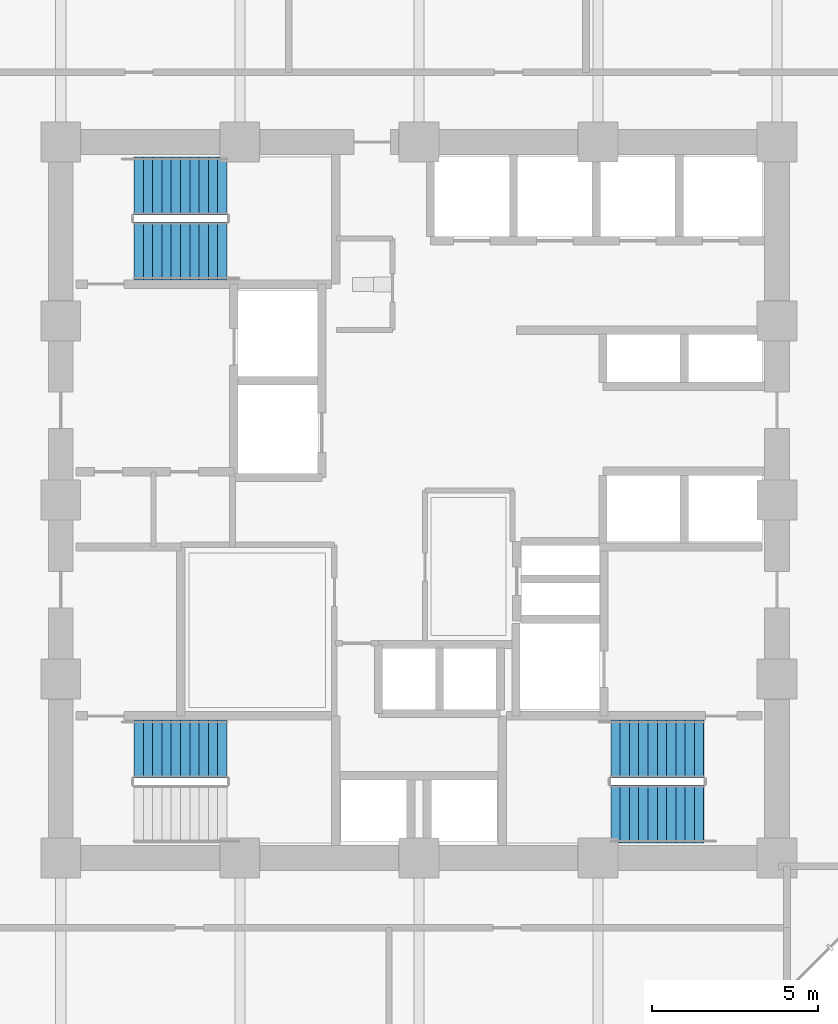
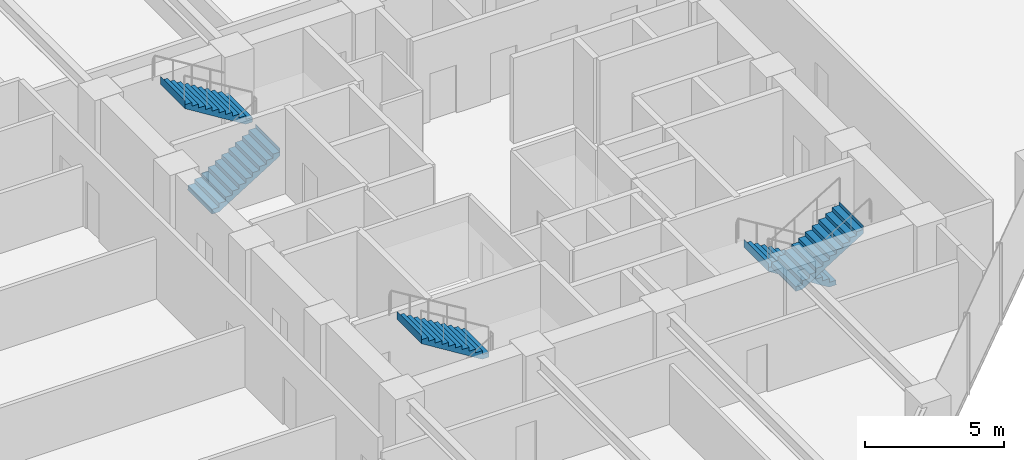
# One storey, part 22 of 26: 5 stair flights, 3 elements without a shape of their own.
"""IFC4 building model written with IfcOpenShell, lengths in metres."""

from ifc_helpers import new_model, si_unit, direction, frame, origin, place, context, subcontext, project, spatial, polyline, outline, extrude, material, type_object, element, aggregate, save


model = new_model("IFC4")

# Units and contexts
model_context = context("Model", 3, precision=1e-05, world=origin(), true_north=direction((0.0, 1.0)))
body_context = subcontext(model_context, "Body", "Model", "MODEL_VIEW")
ifc_project = project(units=[si_unit("LENGTHUNIT", "METRE"), si_unit("AREAUNIT", "SQUARE_METRE"), si_unit("VOLUMEUNIT", "CUBIC_METRE"), si_unit("PLANEANGLEUNIT", "RADIAN"), si_unit("MASSUNIT", "GRAM", prefix="KILO")], contexts=[model_context])

# Site, building, storey
site_placement = place(None, origin())
site = spatial("IfcSite", under=ifc_project, at=site_placement, CompositionType="ELEMENT")
building_placement = place(site_placement, origin())
building = spatial("IfcBuilding", under=site, at=building_placement, Name="Surkhivell Harbour Commons", CompositionType="ELEMENT")
storey_placement = place(building_placement, frame((0.0, 0.0, 60.0)))
storey = spatial("IfcBuildingStorey", under=building, at=storey_placement, Name="L15", CompositionType="ELEMENT", Elevation=60.0)

# Stair, stair flights
ifc_material = material(Name="Precast concrete C45/55", Category="concrete")
stair_type = type_object("IfcStairType", Name="STR-DL-375", PredefinedType="HALF_TURN_STAIR", material=ifc_material)
stair_1_placement = place(storey_placement, origin())
stair_1 = element("IfcStair", 1, at=stair_1_placement, inside=storey, type_object=stair_type, Name="L15 Core Exit Stair ST1", PredefinedType="HALF_TURN_STAIR")
stair_flight_type = type_object("IfcStairFlightType", Name="STF-DL-375", PredefinedType="STRAIGHT", material=ifc_material)
stair_flight_1_placement = place(storey_placement, frame((-8.590087890625, 7.514892578125, 0.0), z_axis=(0.0, 0.0, 1.0), x_axis=(1.0, 0.0, 0.0)))
stair_flight_1 = element("IfcStairFlight", 2, at=stair_flight_1_placement, type_object=stair_flight_type, Name="ST1 flight 1", NumberOfRisers=11, NumberOfTreads=10, PredefinedType="STRAIGHT", RiserHeight=0.170454545, TreadLength=0.28, context=body_context, shape_type="SweptSolid", body=[
    extrude(outline(polyline([(-0.0029296875, -0.034912109375), (-0.0029296875, 0.0), (0.0, 0.0), (0.0, 0.17041015625), (0.280029296875, 0.17041015625), (0.280029296875, 0.3408203125), (0.56005859375, 0.3408203125), (0.56005859375, 0.511474609375), (0.840087890625, 0.511474609375), (0.840087890625, 0.681884765625), (1.1201171875, 0.681884765625), (1.1201171875, 0.852294921875), (1.39990234375, 0.852294921875), (1.39990234375, 1.022705078125), (1.679931640625, 1.022705078125), (1.679931640625, 1.193115234375), (1.9599609375, 1.193115234375), (1.9599609375, 1.363525390625), (2.239990234375, 1.363525390625), (2.239990234375, 1.5341796875), (2.52001953125, 1.5341796875), (2.52001953125, 1.70458984375), (2.800048828125, 1.70458984375), (2.800048828125, 1.875), (2.802978515625, 1.875), (2.802978515625, 1.529052734375), (0.288330078125, -0.034912109375), (-0.0029296875, -0.034912109375)])), frame((0.0, 0.875, 0.0), z_axis=(0.0, -1.0, 0.0), x_axis=(1.0, 0.0, 0.0)), (0.0, 0.0, 1.0), 1.75),
])
stair_flight_2_placement = place(storey_placement, frame((-5.7900390625, 9.465087890625, 1.875), z_axis=(0.0, 0.0, 1.0), x_axis=(-1.0, 0.0, 0.0)))
stair_flight_2 = element("IfcStairFlight", 3, at=stair_flight_2_placement, type_object=stair_flight_type, Name="ST1 flight 2", NumberOfRisers=11, NumberOfTreads=10, PredefinedType="STRAIGHT", RiserHeight=0.170454545, TreadLength=0.28, context=body_context, shape_type="SweptSolid", body=[
    extrude(outline(polyline([(-0.0029296875, -0.034912109375), (-0.0029296875, 0.0), (0.0, 0.0), (0.0, 0.17041015625), (0.280029296875, 0.17041015625), (0.280029296875, 0.3408203125), (0.56005859375, 0.3408203125), (0.56005859375, 0.511474609375), (0.840087890625, 0.511474609375), (0.840087890625, 0.681884765625), (1.1201171875, 0.681884765625), (1.1201171875, 0.852294921875), (1.39990234375, 0.852294921875), (1.39990234375, 1.022705078125), (1.679931640625, 1.022705078125), (1.679931640625, 1.193115234375), (1.9599609375, 1.193115234375), (1.9599609375, 1.363525390625), (2.239990234375, 1.363525390625), (2.239990234375, 1.5341796875), (2.52001953125, 1.5341796875), (2.52001953125, 1.70458984375), (2.800048828125, 1.70458984375), (2.800048828125, 1.875), (2.802978515625, 1.875), (2.802978515625, 1.529052734375), (0.288330078125, -0.034912109375), (-0.0029296875, -0.034912109375)])), frame((0.0, 0.875, 0.0), z_axis=(0.0, -1.0, 0.0), x_axis=(1.0, 0.0, 0.0)), (0.0, 0.0, 1.0), 1.75),
])
aggregate(stair_1, [stair_flight_1, stair_flight_2])

stair_2_placement = place(storey_placement, origin())
stair_2 = element("IfcStair", 4, at=stair_2_placement, inside=storey, type_object=stair_type, Name="L15 Core Exit Stair ST2", PredefinedType="HALF_TURN_STAIR")
stair_flight_3_placement = place(storey_placement, frame((8.590087890625, -7.514892578125, 0.0), z_axis=(0.0, 0.0, 1.0), x_axis=(-1.0, 0.0, 0.0)))
stair_flight_3 = element("IfcStairFlight", 5, at=stair_flight_3_placement, type_object=stair_flight_type, Name="ST2 flight 1", NumberOfRisers=11, NumberOfTreads=10, PredefinedType="STRAIGHT", RiserHeight=0.170454545, TreadLength=0.28, context=body_context, shape_type="SweptSolid", body=[
    extrude(outline(polyline([(-0.0029296875, -0.034912109375), (-0.0029296875, 0.0), (0.0, 0.0), (0.0, 0.17041015625), (0.280029296875, 0.17041015625), (0.280029296875, 0.3408203125), (0.56005859375, 0.3408203125), (0.56005859375, 0.511474609375), (0.840087890625, 0.511474609375), (0.840087890625, 0.681884765625), (1.1201171875, 0.681884765625), (1.1201171875, 0.852294921875), (1.39990234375, 0.852294921875), (1.39990234375, 1.022705078125), (1.679931640625, 1.022705078125), (1.679931640625, 1.193115234375), (1.9599609375, 1.193115234375), (1.9599609375, 1.363525390625), (2.239990234375, 1.363525390625), (2.239990234375, 1.5341796875), (2.52001953125, 1.5341796875), (2.52001953125, 1.70458984375), (2.800048828125, 1.70458984375), (2.800048828125, 1.875), (2.802978515625, 1.875), (2.802978515625, 1.529052734375), (0.288330078125, -0.034912109375), (-0.0029296875, -0.034912109375)])), frame((0.0, 0.875, 0.0), z_axis=(0.0, -1.0, 0.0), x_axis=(1.0, 0.0, 0.0)), (0.0, 0.0, 1.0), 1.75),
])
stair_flight_4_placement = place(storey_placement, frame((5.7900390625, -9.465087890625, 1.875), z_axis=(0.0, 0.0, 1.0), x_axis=(1.0, 0.0, 0.0)))
stair_flight_4 = element("IfcStairFlight", 6, at=stair_flight_4_placement, type_object=stair_flight_type, Name="ST2 flight 2", NumberOfRisers=11, NumberOfTreads=10, PredefinedType="STRAIGHT", RiserHeight=0.170454545, TreadLength=0.28, context=body_context, shape_type="SweptSolid", body=[
    extrude(outline(polyline([(-0.0029296875, -0.034912109375), (-0.0029296875, 0.0), (0.0, 0.0), (0.0, 0.17041015625), (0.280029296875, 0.17041015625), (0.280029296875, 0.3408203125), (0.56005859375, 0.3408203125), (0.56005859375, 0.511474609375), (0.840087890625, 0.511474609375), (0.840087890625, 0.681884765625), (1.1201171875, 0.681884765625), (1.1201171875, 0.852294921875), (1.39990234375, 0.852294921875), (1.39990234375, 1.022705078125), (1.679931640625, 1.022705078125), (1.679931640625, 1.193115234375), (1.9599609375, 1.193115234375), (1.9599609375, 1.363525390625), (2.239990234375, 1.363525390625), (2.239990234375, 1.5341796875), (2.52001953125, 1.5341796875), (2.52001953125, 1.70458984375), (2.800048828125, 1.70458984375), (2.800048828125, 1.875), (2.802978515625, 1.875), (2.802978515625, 1.529052734375), (0.288330078125, -0.034912109375), (-0.0029296875, -0.034912109375)])), frame((0.0, 0.875, 0.0), z_axis=(0.0, -1.0, 0.0), x_axis=(1.0, 0.0, 0.0)), (0.0, 0.0, 1.0), 1.75),
])
aggregate(stair_2, [stair_flight_3, stair_flight_4])

# Stair, stair flight
stair_3_placement = place(storey_placement, origin())
stair_3 = element("IfcStair", 7, at=stair_3_placement, inside=storey, type_object=stair_type, Name="L15 Core Exit Stair ST3", PredefinedType="HALF_TURN_STAIR")
stair_flight_5_placement = place(storey_placement, frame((-5.7900390625, -7.514892578125, 1.875), z_axis=(0.0, 0.0, 1.0), x_axis=(-1.0, 0.0, 0.0)))
stair_flight_5 = element("IfcStairFlight", 8, at=stair_flight_5_placement, type_object=stair_flight_type, Name="ST3 flight 2", NumberOfRisers=11, NumberOfTreads=10, PredefinedType="STRAIGHT", RiserHeight=0.170454545, TreadLength=0.28, context=body_context, shape_type="SweptSolid", body=[
    extrude(outline(polyline([(-0.0029296875, -0.034912109375), (-0.0029296875, 0.0), (0.0, 0.0), (0.0, 0.17041015625), (0.280029296875, 0.17041015625), (0.280029296875, 0.3408203125), (0.56005859375, 0.3408203125), (0.56005859375, 0.511474609375), (0.840087890625, 0.511474609375), (0.840087890625, 0.681884765625), (1.1201171875, 0.681884765625), (1.1201171875, 0.852294921875), (1.39990234375, 0.852294921875), (1.39990234375, 1.022705078125), (1.679931640625, 1.022705078125), (1.679931640625, 1.193115234375), (1.9599609375, 1.193115234375), (1.9599609375, 1.363525390625), (2.239990234375, 1.363525390625), (2.239990234375, 1.5341796875), (2.52001953125, 1.5341796875), (2.52001953125, 1.70458984375), (2.800048828125, 1.70458984375), (2.800048828125, 1.875), (2.802978515625, 1.875), (2.802978515625, 1.529052734375), (0.288330078125, -0.034912109375), (-0.0029296875, -0.034912109375)])), frame((0.0, 0.875, 0.0), z_axis=(0.0, -1.0, 0.0), x_axis=(1.0, 0.0, 0.0)), (0.0, 0.0, 1.0), 1.75),
])
aggregate(stair_3, [stair_flight_5])

save(model, "model.ifc")
